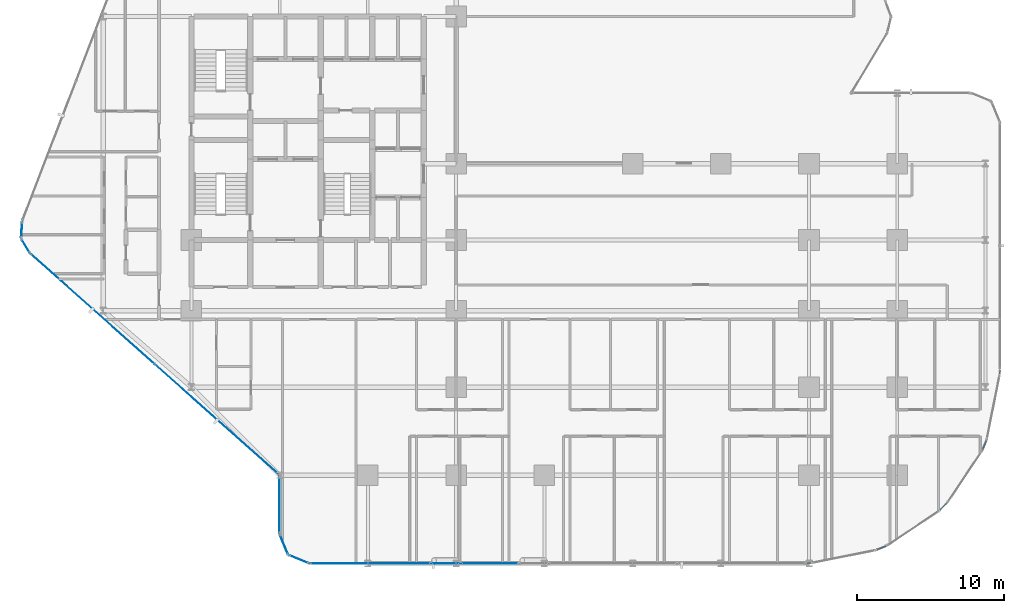
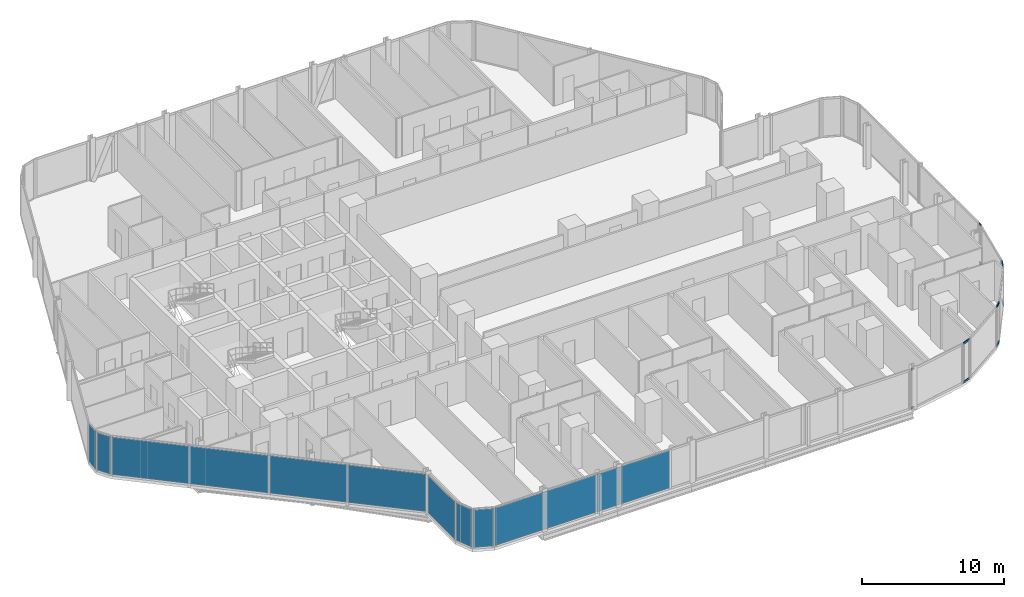
# One storey, part 20 of 34: 10 members, 10 plates, 14 elements without a shape of their own.
"""IFC4 building model written with IfcOpenShell, lengths in metres."""

from ifc_helpers import new_model, si_unit, direction, frame, origin, origin_2d, place, context, subcontext, project, spatial, rectangle, hollow_rectangle, extrude, material, layer, layer_set, material_profile, profile_set, type_object, element, aggregate, save


model = new_model("IFC4")

# Units and contexts
model_context = context("Model", 3, precision=1e-05, world=origin(), true_north=direction((0.0, 1.0)))
body_context = subcontext(model_context, "Body", "Model", "MODEL_VIEW")
ifc_project = project(units=[si_unit("LENGTHUNIT", "METRE"), si_unit("AREAUNIT", "SQUARE_METRE"), si_unit("VOLUMEUNIT", "CUBIC_METRE"), si_unit("PLANEANGLEUNIT", "RADIAN"), si_unit("MASSUNIT", "GRAM", prefix="KILO")], contexts=[model_context])

# Site, building, storey
site_placement = place(None, origin())
site = spatial("IfcSite", under=ifc_project, at=site_placement, CompositionType="ELEMENT")
building_placement = place(site_placement, origin())
building = spatial("IfcBuilding", under=site, at=building_placement, Name="Keshet Zoharim Tower", CompositionType="ELEMENT")
storey_placement = place(building_placement, frame((0.0, 0.0, 38.800048828125)))
storey = spatial("IfcBuildingStorey", under=building, at=storey_placement, Name="L08", CompositionType="ELEMENT", Elevation=38.800048828125)

# Curtain wall, members
ifc_material_1 = material(Name="Aluminium 6063-T6", Category="aluminium")
ifc_layer_1 = layer(ifc_material_1, 0.169921875)
ifc_layer_set_1 = layer_set([ifc_layer_1], Name="Aluminium 6063-T6")
curtain_wall_type_1 = type_object("IfcCurtainWallType", Name="CW-SYS-02", PredefinedType="NOTDEFINED", material=ifc_layer_set_1)
curtain_wall_1_placement = place(storey_placement, origin())
curtain_wall_1 = element("IfcCurtainWall", 1, at=curtain_wall_1_placement, inside=storey, type_object=curtain_wall_type_1, Name="L08 Unitised Curtain Wall 17", PredefinedType="NOTDEFINED")
ifc_material_profile = material_profile(ifc_material_1, hollow_rectangle(XDim=0.0849609375, YDim=0.159912109375, WallThickness=0.00439453125, at=origin_2d()), Name="TRN-85x160")
ifc_profile_set = profile_set([ifc_material_profile], Name="Aluminium 6063-T6")
member_type = type_object("IfcMemberType", Name="CWT-T16", PredefinedType="USERDEFINED", material=ifc_profile_set)
member_1_placement = place(storey_placement, frame((69.9931640625, 13.827392578125, 0.034912109375), z_axis=(-0.096912647607, -0.995292890929, 0.0), x_axis=(0.995292890929, -0.096912647607, 0.0)))
member_1 = element("IfcMember", 2, at=member_1_placement, type_object=member_type, Name="CW-02 transom 1.1", ObjectType="TRANSOM", PredefinedType="USERDEFINED", context=body_context, shape_type="SweptSolid", body=[
    extrude(hollow_rectangle(XDim=0.0849609375, YDim=0.159912109375, WallThickness=0.00439453125, at=origin_2d()), origin(), (0.0, 0.0, 1.0), 0.251953125),
])
member_2_placement = place(storey_placement, frame((69.9931640625, 13.827392578125, 3.349853515625), z_axis=(-0.096912647607, -0.995292890929, 0.0), x_axis=(0.995292890929, -0.096912647607, 0.0)))
member_2 = element("IfcMember", 3, at=member_2_placement, type_object=member_type, Name="CW-02 transom 1.2", ObjectType="TRANSOM", PredefinedType="USERDEFINED", context=body_context, shape_type="SweptSolid", body=[
    extrude(hollow_rectangle(XDim=0.0849609375, YDim=0.159912109375, WallThickness=0.00439453125, at=origin_2d()), origin(), (0.0, 0.0, 1.0), 0.251953125),
])
aggregate(curtain_wall_1, [member_1, member_2])

ifc_layer_2 = layer(ifc_material_1, 0.179931640625)
ifc_layer_set_2 = layer_set([ifc_layer_2], Name="Aluminium 6063-T6")
curtain_wall_type_2 = type_object("IfcCurtainWallType", Name="CW-SYS-01", PredefinedType="NOTDEFINED", material=ifc_layer_set_2)
curtain_wall_2_placement = place(storey_placement, origin())
curtain_wall_2 = element("IfcCurtainWall", 4, at=curtain_wall_2_placement, inside=storey, type_object=curtain_wall_type_2, Name="L08 Unitised Curtain Wall 19", PredefinedType="NOTDEFINED")
member_3_placement = place(storey_placement, frame((69.061279296875, 9.05029296875, 0.034912109375), z_axis=(-0.383126096215, -0.923696050874, 0.0), x_axis=(0.923696050874, -0.383126096215, 0.0)))
member_3 = element("IfcMember", 5, at=member_3_placement, type_object=member_type, Name="CW-01 transom 1.1", ObjectType="TRANSOM", PredefinedType="USERDEFINED", context=body_context, shape_type="SweptSolid", body=[
    extrude(hollow_rectangle(XDim=0.0849609375, YDim=0.159912109375, WallThickness=0.00439453125, at=origin_2d()), origin(), (0.0, 0.0, 1.0), 0.640380859375),
])
member_4_placement = place(storey_placement, frame((69.061279296875, 9.05029296875, 3.349853515625), z_axis=(-0.383126096215, -0.923696050874, 0.0), x_axis=(0.923696050874, -0.383126096215, 0.0)))
member_4 = element("IfcMember", 6, at=member_4_placement, type_object=member_type, Name="CW-01 transom 1.2", ObjectType="TRANSOM", PredefinedType="USERDEFINED", context=body_context, shape_type="SweptSolid", body=[
    extrude(hollow_rectangle(XDim=0.0849609375, YDim=0.159912109375, WallThickness=0.00439453125, at=origin_2d()), origin(), (0.0, 0.0, 1.0), 0.640380859375),
])
aggregate(curtain_wall_2, [member_3, member_4])

curtain_wall_3_placement = place(storey_placement, origin())
curtain_wall_3 = element("IfcCurtainWall", 7, at=curtain_wall_3_placement, inside=storey, type_object=curtain_wall_type_2, Name="L08 Unitised Curtain Wall 21", PredefinedType="NOTDEFINED")
member_5_placement = place(storey_placement, frame((66.363525390625, 4.78857421875, 0.034912109375), z_axis=(-0.707106781187, -0.707106781187, 0.0), x_axis=(0.707106781187, -0.707106781187, 0.0)))
member_5 = element("IfcMember", 8, at=member_5_placement, type_object=member_type, Name="CW-01 transom 1.1", ObjectType="TRANSOM", PredefinedType="USERDEFINED", context=body_context, shape_type="SweptSolid", body=[
    extrude(hollow_rectangle(XDim=0.0849609375, YDim=0.159912109375, WallThickness=0.00439453125, at=origin_2d()), origin(), (0.0, 0.0, 1.0), 0.639404296875),
])
member_6_placement = place(storey_placement, frame((66.363525390625, 4.78857421875, 3.349853515625), z_axis=(-0.707106781187, -0.707106781187, 0.0), x_axis=(0.707106781187, -0.707106781187, 0.0)))
member_6 = element("IfcMember", 9, at=member_6_placement, type_object=member_type, Name="CW-01 transom 1.2", ObjectType="TRANSOM", PredefinedType="USERDEFINED", context=body_context, shape_type="SweptSolid", body=[
    extrude(hollow_rectangle(XDim=0.0849609375, YDim=0.159912109375, WallThickness=0.00439453125, at=origin_2d()), origin(), (0.0, 0.0, 1.0), 0.639404296875),
])
aggregate(curtain_wall_3, [member_5, member_6])

curtain_wall_4_placement = place(storey_placement, origin())
curtain_wall_4 = element("IfcCurtainWall", 10, at=curtain_wall_4_placement, inside=storey, type_object=curtain_wall_type_2, Name="L08 Unitised Curtain Wall 23", PredefinedType="NOTDEFINED")
member_7_placement = place(storey_placement, frame((62.241455078125, 1.88427734375, 0.034912109375), z_axis=(-0.923751978938, -0.382991228891, 0.0), x_axis=(0.382991228891, -0.923751978938, 0.0)))
member_7 = element("IfcMember", 11, at=member_7_placement, type_object=member_type, Name="CW-01 transom 1.1", ObjectType="TRANSOM", PredefinedType="USERDEFINED", context=body_context, shape_type="SweptSolid", body=[
    extrude(hollow_rectangle(XDim=0.0849609375, YDim=0.159912109375, WallThickness=0.00439453125, at=origin_2d()), origin(), (0.0, 0.0, 1.0), 0.640625),
])
member_8_placement = place(storey_placement, frame((62.241455078125, 1.88427734375, 3.349853515625), z_axis=(-0.923751978938, -0.382991228891, 0.0), x_axis=(0.382991228891, -0.923751978938, 0.0)))
member_8 = element("IfcMember", 12, at=member_8_placement, type_object=member_type, Name="CW-01 transom 1.2", ObjectType="TRANSOM", PredefinedType="USERDEFINED", context=body_context, shape_type="SweptSolid", body=[
    extrude(hollow_rectangle(XDim=0.0849609375, YDim=0.159912109375, WallThickness=0.00439453125, at=origin_2d()), origin(), (0.0, 0.0, 1.0), 0.640625),
])
aggregate(curtain_wall_4, [member_7, member_8])

curtain_wall_5_placement = place(storey_placement, origin())
curtain_wall_5 = element("IfcCurtainWall", 13, at=curtain_wall_5_placement, inside=storey, type_object=curtain_wall_type_2, Name="L08 Unitised Curtain Wall 25", PredefinedType="NOTDEFINED")
member_9_placement = place(storey_placement, frame((57.123291015625, 0.731201171875, 0.034912109375), z_axis=(-0.995292890929, -0.096912647607, 0.0), x_axis=(0.096912647607, -0.995292890929, 0.0)))
member_9 = element("IfcMember", 14, at=member_9_placement, type_object=member_type, Name="CW-01 transom 1.1", ObjectType="TRANSOM", PredefinedType="USERDEFINED", context=body_context, shape_type="SweptSolid", body=[
    extrude(hollow_rectangle(XDim=0.0849609375, YDim=0.159912109375, WallThickness=0.00439453125, at=origin_2d()), origin(), (0.0, 0.0, 1.0), 0.251953125),
])
member_10_placement = place(storey_placement, frame((57.123291015625, 0.731201171875, 3.349853515625), z_axis=(-0.995292890929, -0.096912647607, 0.0), x_axis=(0.096912647607, -0.995292890929, 0.0)))
member_10 = element("IfcMember", 15, at=member_10_placement, type_object=member_type, Name="CW-01 transom 1.2", ObjectType="TRANSOM", PredefinedType="USERDEFINED", context=body_context, shape_type="SweptSolid", body=[
    extrude(hollow_rectangle(XDim=0.0849609375, YDim=0.159912109375, WallThickness=0.00439453125, at=origin_2d()), origin(), (0.0, 0.0, 1.0), 0.251953125),
])
aggregate(curtain_wall_5, [member_9, member_10])

# Curtain wall, plates
curtain_wall_6_placement = place(storey_placement, origin())
curtain_wall_6 = element("IfcCurtainWall", 16, at=curtain_wall_6_placement, inside=storey, type_object=curtain_wall_type_2, Name="L08 Unitised Curtain Wall 01", PredefinedType="NOTDEFINED")
ifc_material_2 = material(Name="Insulated Low-E Clear Glass", Category="glass")
ifc_layer_3 = layer(ifc_material_2, 0.035888671875)
ifc_layer_set_3 = layer_set([ifc_layer_3], Name="Insulated Low-E Clear Glass")
plate_type_1 = type_object("IfcPlateType", Name="CWP-01", PredefinedType="CURTAIN_PANEL", material=ifc_layer_set_3)
plate_1_placement = place(storey_placement, frame((16.74560546875, 10.481689453125, 0.06982421875), z_axis=(0.0, 0.0, 1.0), x_axis=(-0.747409318679, 0.664363838836, 0.0)))
plate_1 = element("IfcPlate", 17, at=plate_1_placement, type_object=plate_type_1, Name="CW-01 panel 1.1", PredefinedType="CURTAIN_PANEL", context=body_context, shape_type="SweptSolid", body=[
    extrude(rectangle(XDim=11.244140625, YDim=0.035888671875, at=origin_2d()), origin(), (0.0, 0.0, 1.0), 3.2451171875),
])
plate_2_placement = place(storey_placement, frame((8.289306640625, 17.998291015625, 0.06982421875), z_axis=(0.0, 0.0, 1.0), x_axis=(-0.747409318679, 0.664363838836, 0.0)))
plate_2 = element("IfcPlate", 18, at=plate_2_placement, type_object=plate_type_1, Name="CW-01 panel 2.1", PredefinedType="CURTAIN_PANEL", context=body_context, shape_type="SweptSolid", body=[
    extrude(rectangle(XDim=11.244140625, YDim=0.035888671875, at=origin_2d()), origin(), (0.0, 0.0, 1.0), 3.2451171875),
])
aggregate(curtain_wall_6, [plate_1, plate_2])

# Curtain wall, plate
curtain_wall_7_placement = place(storey_placement, origin())
curtain_wall_7 = element("IfcCurtainWall", 19, at=curtain_wall_7_placement, inside=storey, type_object=curtain_wall_type_2, Name="L08 Unitised Curtain Wall 02", PredefinedType="NOTDEFINED")
plate_3_placement = place(storey_placement, frame((3.7275390625, 22.291015625, 0.06982421875), z_axis=(0.0, 0.0, 1.0), x_axis=(-0.515604947933, 0.856826433805, 0.0)))
plate_3 = element("IfcPlate", 20, at=plate_3_placement, type_object=plate_type_1, Name="CW-01 panel 1.1", PredefinedType="CURTAIN_PANEL", context=body_context, shape_type="SweptSolid", body=[
    extrude(rectangle(XDim=1.052734375, YDim=0.035888671875, at=origin_2d()), origin(), (0.0, 0.0, 1.0), 3.2451171875),
])
aggregate(curtain_wall_7, [plate_3])

curtain_wall_8_placement = place(storey_placement, origin())
curtain_wall_8 = element("IfcCurtainWall", 21, at=curtain_wall_8_placement, inside=storey, type_object=curtain_wall_type_2, Name="L08 Unitised Curtain Wall 03", PredefinedType="NOTDEFINED")
plate_4_placement = place(storey_placement, frame((3.45849609375, 23.3974609375, 0.06982421875), z_axis=(0.0, 0.0, 1.0), x_axis=(0.064516859374, 0.997916617186, 0.0)))
plate_4 = element("IfcPlate", 22, at=plate_4_placement, type_object=plate_type_1, Name="CW-01 panel 1.1", PredefinedType="CURTAIN_PANEL", context=body_context, shape_type="SweptSolid", body=[
    extrude(rectangle(XDim=1.053466796875, YDim=0.035888671875, at=origin_2d()), origin(), (0.0, 0.0, 1.0), 3.2451171875),
])
aggregate(curtain_wall_8, [plate_4])

curtain_wall_9_placement = place(storey_placement, origin())
curtain_wall_9 = element("IfcCurtainWall", 23, at=curtain_wall_9_placement, inside=storey, type_object=curtain_wall_type_2, Name="L08 Unitised Curtain Wall 26 Part 3", PredefinedType="NOTDEFINED")
plate_5_placement = place(storey_placement, frame((35.284912109375, 0.699951171875, 0.06982421875), z_axis=(0.0, 0.0, 1.0), x_axis=(-1.0, 0.0, 0.0)))
plate_5 = element("IfcPlate", 24, at=plate_5_placement, type_object=plate_type_1, Name="CW-01 panel 1.1", PredefinedType="CURTAIN_PANEL", context=body_context, shape_type="SweptSolid", body=[
    extrude(rectangle(XDim=3.90478515625, YDim=0.035888671875, at=origin_2d()), origin(), (0.0, 0.0, 1.0), 3.2451171875),
])
aggregate(curtain_wall_9, [plate_5])

curtain_wall_10_placement = place(storey_placement, origin())
curtain_wall_10 = element("IfcCurtainWall", 25, at=curtain_wall_10_placement, inside=storey, type_object=curtain_wall_type_2, Name="L08 Unitised Curtain Wall 26 Part 5", PredefinedType="NOTDEFINED")
plate_6_placement = place(storey_placement, frame((27.15380859375, 0.699951171875, 0.06982421875), z_axis=(0.0, 0.0, 1.0), x_axis=(-1.0, 0.0, 0.0)))
plate_6 = element("IfcPlate", 26, at=plate_6_placement, type_object=plate_type_1, Name="CW-01 panel 1.1", PredefinedType="CURTAIN_PANEL", context=body_context, shape_type="SweptSolid", body=[
    extrude(rectangle(XDim=8.16748046875, YDim=0.035888671875, at=origin_2d()), origin(), (0.0, 0.0, 1.0), 3.2451171875),
])
aggregate(curtain_wall_10, [plate_6])

curtain_wall_11_placement = place(storey_placement, origin())
curtain_wall_11 = element("IfcCurtainWall", 27, at=curtain_wall_11_placement, inside=storey, type_object=curtain_wall_type_2, Name="L08 Unitised Curtain Wall 27", PredefinedType="NOTDEFINED")
plate_7_placement = place(storey_placement, frame((22.29296875, 0.992919921875, 0.06982421875), z_axis=(0.0, 0.0, 1.0), x_axis=(-0.92380975372, 0.382851849847, 0.0)))
plate_7 = element("IfcPlate", 28, at=plate_7_placement, type_object=plate_type_1, Name="CW-01 panel 1.1", PredefinedType="CURTAIN_PANEL", context=body_context, shape_type="SweptSolid", body=[
    extrude(rectangle(XDim=1.390625, YDim=0.035888671875, at=origin_2d()), origin(), (0.0, 0.0, 1.0), 3.2451171875),
])
aggregate(curtain_wall_11, [plate_7])

curtain_wall_12_placement = place(storey_placement, origin())
curtain_wall_12 = element("IfcCurtainWall", 29, at=curtain_wall_12_placement, inside=storey, type_object=curtain_wall_type_2, Name="L08 Unitised Curtain Wall 28", PredefinedType="NOTDEFINED")
plate_8_placement = place(storey_placement, frame((21.29296875, 1.992919921875, 0.06982421875), z_axis=(0.0, 0.0, 1.0), x_axis=(-0.382851849847, 0.92380975372, 0.0)))
plate_8 = element("IfcPlate", 30, at=plate_8_placement, type_object=plate_type_1, Name="CW-01 panel 1.1", PredefinedType="CURTAIN_PANEL", context=body_context, shape_type="SweptSolid", body=[
    extrude(rectangle(XDim=1.390625, YDim=0.035888671875, at=origin_2d()), origin(), (0.0, 0.0, 1.0), 3.2451171875),
])
aggregate(curtain_wall_12, [plate_8])

curtain_wall_13_placement = place(storey_placement, origin())
curtain_wall_13 = element("IfcCurtainWall", 31, at=curtain_wall_13_placement, inside=storey, type_object=curtain_wall_type_2, Name="L08 Unitised Curtain Wall 29", PredefinedType="NOTDEFINED")
plate_9_placement = place(storey_placement, frame((21.0, 4.699951171875, 0.06982421875), z_axis=(0.0, 0.0, 1.0), x_axis=(0.0, 1.0, 0.0)))
plate_9 = element("IfcPlate", 32, at=plate_9_placement, type_object=plate_type_1, Name="CW-01 panel 1.1", PredefinedType="CURTAIN_PANEL", context=body_context, shape_type="SweptSolid", body=[
    extrude(rectangle(XDim=3.860107421875, YDim=0.035888671875, at=origin_2d()), origin(), (0.0, 0.0, 1.0), 3.2451171875),
])
aggregate(curtain_wall_13, [plate_9])

curtain_wall_14_placement = place(storey_placement, origin())
curtain_wall_14 = element("IfcCurtainWall", 33, at=curtain_wall_14_placement, inside=storey, type_object=curtain_wall_type_2, Name="L08 Unitised Curtain Wall 26 Part 4", PredefinedType="NOTDEFINED")
ifc_material_3 = material(Name="Insulated Aluminium Spandrel Panel", Category="aluminium")
ifc_layer_4 = layer(ifc_material_3, 0.035888671875)
ifc_layer_set_4 = layer_set([ifc_layer_4], Name="Insulated Aluminium Spandrel Panel")
plate_type_2 = type_object("IfcPlateType", Name="CWP-04", PredefinedType="CURTAIN_PANEL", material=ifc_layer_set_4)
plate_10_placement = place(storey_placement, frame((32.284912109375, 0.699951171875, 0.06982421875), z_axis=(0.0, 0.0, 1.0), x_axis=(-1.0, 0.0, 0.0)))
plate_10 = element("IfcPlate", 34, at=plate_10_placement, type_object=plate_type_2, Name="CW-01 spandrel panel 1.1", PredefinedType="CURTAIN_PANEL", context=body_context, shape_type="SweptSolid", body=[
    extrude(rectangle(XDim=1.955078125, YDim=0.035888671875, at=origin_2d()), origin(), (0.0, 0.0, 1.0), 3.2451171875),
])
aggregate(curtain_wall_14, [plate_10])

save(model, "model.ifc")
